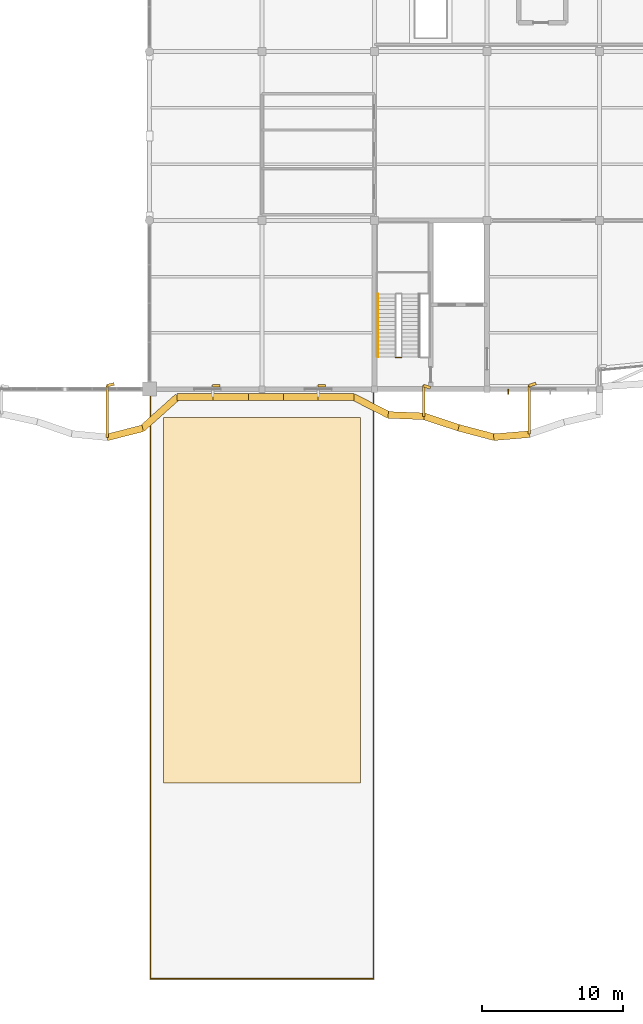
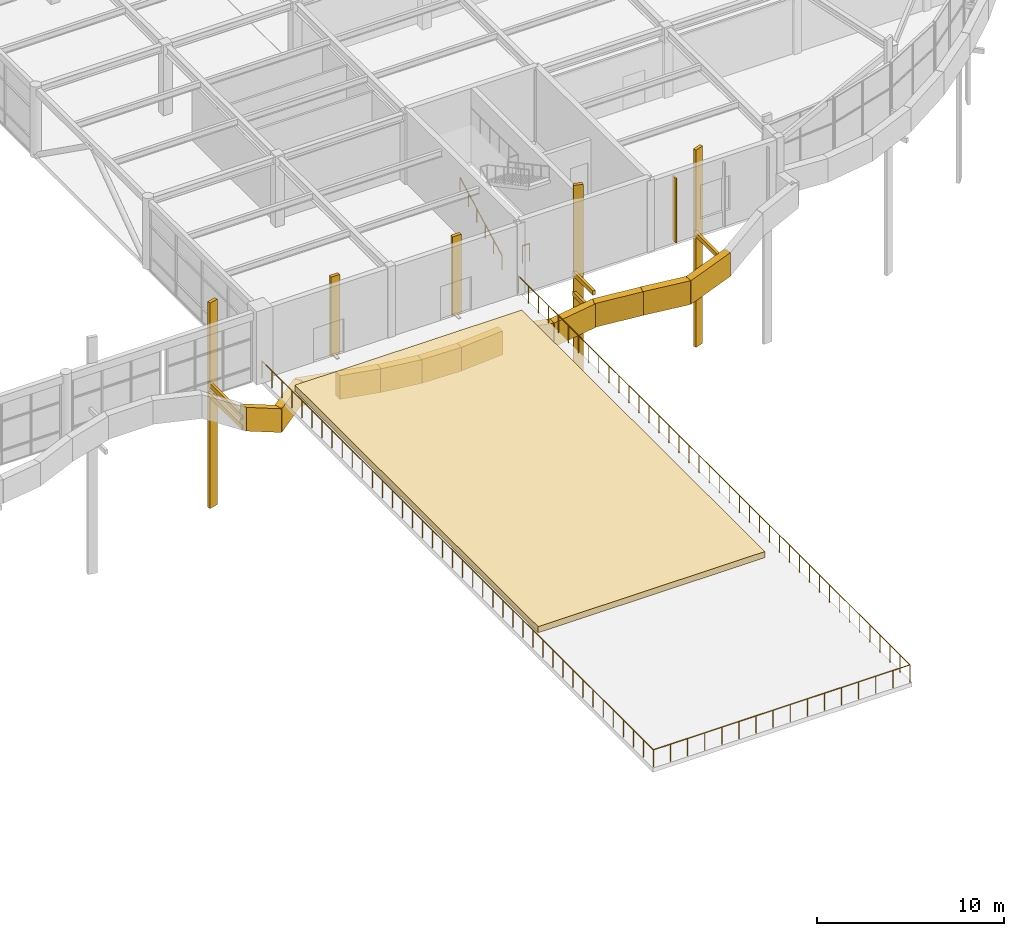
# One storey, part 56 of 63: 23 coverings, 3 railings, 1 shading device.
"""IFC4 building model written with IfcOpenShell, lengths in metres."""

from ifc_helpers import new_model, si_unit, direction, frame, frame_2d, origin, origin_2d, place, context, subcontext, project, spatial, polyline, rectangle, circle, outline, extrude, material, layer, layer_set, type_object, element, save


model = new_model("IFC4")

# Units and contexts
model_context = context("Model", 3, precision=1e-05, world=origin(), true_north=direction((0.0, 1.0)))
body_context = subcontext(model_context, "Body", "Model", "MODEL_VIEW")
ifc_project = project(units=[si_unit("LENGTHUNIT", "METRE"), si_unit("AREAUNIT", "SQUARE_METRE"), si_unit("VOLUMEUNIT", "CUBIC_METRE"), si_unit("PLANEANGLEUNIT", "RADIAN"), si_unit("MASSUNIT", "GRAM", prefix="KILO")], contexts=[model_context])

# Site, building, storey
site_placement = place(None, origin())
site = spatial("IfcSite", under=ifc_project, at=site_placement, CompositionType="ELEMENT")
building_placement = place(site_placement, origin())
building = spatial("IfcBuilding", under=site, at=building_placement, Name="Keelwater Ferry Terminal", CompositionType="ELEMENT")
storey_placement = place(building_placement, frame((0.0, 0.0, 10.199951171875)))
storey = spatial("IfcBuildingStorey", under=building, at=storey_placement, Name="L02", CompositionType="ELEMENT", Elevation=10.199951171875)

# Railing
ifc_material_1 = material(Name="Marine stainless steel and laminated glass balustrade", Category="steel")
railing_type_1 = type_object("IfcRailingType", Name="BL-115 Waterfront Promenade Balustrade", PredefinedType="BALUSTRADE", material=ifc_material_1)
railing_1_placement = place(storey_placement, frame((132.080078125, 41.949951171875, 0.0)))
element("IfcRailing", 1, at=railing_1_placement, inside=storey, type_object=railing_type_1, Name="East Boarding Promenade Guard 3", PredefinedType="BALUSTRADE", context=body_context, shape_type="SweptSolid", body=[
    extrude(circle(Radius=0.02685546875, at=origin_2d()), frame((0.0, 0.0, 1.123046875), z_axis=(0.0, -1.0, 0.0), x_axis=(1.0, 0.0, 0.0)), (0.0, 0.0, 1.0), 41.869873046875),
    extrude(circle(Radius=0.02685546875, at=origin_2d()), frame((0.0, -41.869873046875, 1.123046875), z_axis=(1.0, 0.0, 0.0), x_axis=(0.0, 1.0, 0.0)), (0.0, 0.0, 1.0), 15.83984375),
    extrude(circle(Radius=0.02685546875, at=origin_2d()), frame((15.83984375, -41.869873046875, 1.123046875), z_axis=(0.0, 1.0, 0.0), x_axis=(-1.0, 0.0, 0.0)), (0.0, 0.0, 1.0), 41.869873046875),
    extrude(circle(Radius=0.02392578125, at=origin_2d()), origin(), (0.0, 0.0, 1.0), 1.095947265625),
    extrude(circle(Radius=0.02392578125, at=origin_2d()), frame((0.0, -1.073486328125, 0.0)), (0.0, 0.0, 1.0), 1.095947265625),
    extrude(circle(Radius=0.02392578125, at=origin_2d()), frame((0.0, -2.147216796875, 0.0)), (0.0, 0.0, 1.0), 1.095947265625),
    extrude(circle(Radius=0.02392578125, at=origin_2d()), frame((0.0, -3.220703125, 0.0)), (0.0, 0.0, 1.0), 1.095947265625),
    extrude(circle(Radius=0.02392578125, at=origin_2d()), frame((0.0, -4.29443359375, 0.0)), (0.0, 0.0, 1.0), 1.095947265625),
    extrude(circle(Radius=0.02392578125, at=origin_2d()), frame((0.0, -5.367919921875, 0.0)), (0.0, 0.0, 1.0), 1.095947265625),
    extrude(circle(Radius=0.02392578125, at=origin_2d()), frame((0.0, -6.44140625, 0.0)), (0.0, 0.0, 1.0), 1.095947265625),
    extrude(circle(Radius=0.02392578125, at=origin_2d()), frame((0.0, -7.51513671875, 0.0)), (0.0, 0.0, 1.0), 1.095947265625),
    extrude(circle(Radius=0.02392578125, at=origin_2d()), frame((0.0, -8.588623046875, 0.0)), (0.0, 0.0, 1.0), 1.095947265625),
    extrude(circle(Radius=0.02392578125, at=origin_2d()), frame((0.0, -9.662353515625, 0.0)), (0.0, 0.0, 1.0), 1.095947265625),
    extrude(circle(Radius=0.02392578125, at=origin_2d()), frame((0.0, -10.73583984375, 0.0)), (0.0, 0.0, 1.0), 1.095947265625),
    extrude(circle(Radius=0.02392578125, at=origin_2d()), frame((0.0, -11.8095703125, 0.0)), (0.0, 0.0, 1.0), 1.095947265625),
    extrude(circle(Radius=0.02392578125, at=origin_2d()), frame((0.0, -12.883056640625, 0.0)), (0.0, 0.0, 1.0), 1.095947265625),
    extrude(circle(Radius=0.02392578125, at=origin_2d()), frame((0.0, -13.95654296875, 0.0)), (0.0, 0.0, 1.0), 1.095947265625),
    extrude(circle(Radius=0.02392578125, at=origin_2d()), frame((0.0, -15.0302734375, 0.0)), (0.0, 0.0, 1.0), 1.095947265625),
    extrude(circle(Radius=0.02392578125, at=origin_2d()), frame((0.0, -16.103759765625, 0.0)), (0.0, 0.0, 1.0), 1.095947265625),
    extrude(circle(Radius=0.02392578125, at=origin_2d()), frame((0.0, -17.177490234375, 0.0)), (0.0, 0.0, 1.0), 1.095947265625),
    extrude(circle(Radius=0.02392578125, at=origin_2d()), frame((0.0, -18.2509765625, 0.0)), (0.0, 0.0, 1.0), 1.095947265625),
    extrude(circle(Radius=0.02392578125, at=origin_2d()), frame((0.0, -19.324462890625, 0.0)), (0.0, 0.0, 1.0), 1.095947265625),
    extrude(circle(Radius=0.02392578125, at=origin_2d()), frame((0.0, -20.398193359375, 0.0)), (0.0, 0.0, 1.0), 1.095947265625),
    extrude(circle(Radius=0.02392578125, at=origin_2d()), frame((0.0, -21.4716796875, 0.0)), (0.0, 0.0, 1.0), 1.095947265625),
    extrude(circle(Radius=0.02392578125, at=origin_2d()), frame((0.0, -22.54541015625, 0.0)), (0.0, 0.0, 1.0), 1.095947265625),
    extrude(circle(Radius=0.02392578125, at=origin_2d()), frame((0.0, -23.618896484375, 0.0)), (0.0, 0.0, 1.0), 1.095947265625),
    extrude(circle(Radius=0.02392578125, at=origin_2d()), frame((0.0, -24.6923828125, 0.0)), (0.0, 0.0, 1.0), 1.095947265625),
    extrude(circle(Radius=0.02392578125, at=origin_2d()), frame((0.0, -25.76611328125, 0.0)), (0.0, 0.0, 1.0), 1.095947265625),
    extrude(circle(Radius=0.02392578125, at=origin_2d()), frame((0.0, -26.839599609375, 0.0)), (0.0, 0.0, 1.0), 1.095947265625),
    extrude(circle(Radius=0.02392578125, at=origin_2d()), frame((0.0, -27.913330078125, 0.0)), (0.0, 0.0, 1.0), 1.095947265625),
    extrude(circle(Radius=0.02392578125, at=origin_2d()), frame((0.0, -28.98681640625, 0.0)), (0.0, 0.0, 1.0), 1.095947265625),
    extrude(circle(Radius=0.02392578125, at=origin_2d()), frame((0.0, -30.060302734375, 0.0)), (0.0, 0.0, 1.0), 1.095947265625),
    extrude(circle(Radius=0.02392578125, at=origin_2d()), frame((0.0, -31.134033203125, 0.0)), (0.0, 0.0, 1.0), 1.095947265625),
    extrude(circle(Radius=0.02392578125, at=origin_2d()), frame((0.0, -32.20751953125, 0.0)), (0.0, 0.0, 1.0), 1.095947265625),
    extrude(circle(Radius=0.02392578125, at=origin_2d()), frame((0.0, -33.28125, 0.0)), (0.0, 0.0, 1.0), 1.095947265625),
    extrude(circle(Radius=0.02392578125, at=origin_2d()), frame((0.0, -34.354736328125, 0.0)), (0.0, 0.0, 1.0), 1.095947265625),
    extrude(circle(Radius=0.02392578125, at=origin_2d()), frame((0.0, -35.428466796875, 0.0)), (0.0, 0.0, 1.0), 1.095947265625),
    extrude(circle(Radius=0.02392578125, at=origin_2d()), frame((0.0, -36.501953125, 0.0)), (0.0, 0.0, 1.0), 1.095947265625),
    extrude(circle(Radius=0.02392578125, at=origin_2d()), frame((0.0, -37.575439453125, 0.0)), (0.0, 0.0, 1.0), 1.095947265625),
    extrude(circle(Radius=0.02392578125, at=origin_2d()), frame((0.0, -38.649169921875, 0.0)), (0.0, 0.0, 1.0), 1.095947265625),
    extrude(circle(Radius=0.02392578125, at=origin_2d()), frame((0.0, -39.72265625, 0.0)), (0.0, 0.0, 1.0), 1.095947265625),
    extrude(circle(Radius=0.02392578125, at=origin_2d()), frame((0.0, -40.79638671875, 0.0)), (0.0, 0.0, 1.0), 1.095947265625),
    extrude(circle(Radius=0.02392578125, at=origin_2d()), frame((0.0, -41.869873046875, 0.0)), (0.0, 0.0, 1.0), 1.095947265625),
    extrude(circle(Radius=0.02392578125, at=origin_2d()), frame((1.055908203125, -41.869873046875, 0.0)), (0.0, 0.0, 1.0), 1.095947265625),
    extrude(circle(Radius=0.02392578125, at=origin_2d()), frame((2.112060546875, -41.869873046875, 0.0)), (0.0, 0.0, 1.0), 1.095947265625),
    extrude(circle(Radius=0.02392578125, at=origin_2d()), frame((3.16796875, -41.869873046875, 0.0)), (0.0, 0.0, 1.0), 1.095947265625),
    extrude(circle(Radius=0.02392578125, at=origin_2d()), frame((4.223876953125, -41.869873046875, 0.0)), (0.0, 0.0, 1.0), 1.095947265625),
    extrude(circle(Radius=0.02392578125, at=origin_2d()), frame((5.280029296875, -41.869873046875, 0.0)), (0.0, 0.0, 1.0), 1.095947265625),
    extrude(circle(Radius=0.02392578125, at=origin_2d()), frame((6.3359375, -41.869873046875, 0.0)), (0.0, 0.0, 1.0), 1.095947265625),
    extrude(circle(Radius=0.02392578125, at=origin_2d()), frame((7.391845703125, -41.869873046875, 0.0)), (0.0, 0.0, 1.0), 1.095947265625),
    extrude(circle(Radius=0.02392578125, at=origin_2d()), frame((8.447998046875, -41.869873046875, 0.0)), (0.0, 0.0, 1.0), 1.095947265625),
    extrude(circle(Radius=0.02392578125, at=origin_2d()), frame((9.50390625, -41.869873046875, 0.0)), (0.0, 0.0, 1.0), 1.095947265625),
    extrude(circle(Radius=0.02392578125, at=origin_2d()), frame((10.559814453125, -41.869873046875, 0.0)), (0.0, 0.0, 1.0), 1.095947265625),
    extrude(circle(Radius=0.02392578125, at=origin_2d()), frame((11.615966796875, -41.869873046875, 0.0)), (0.0, 0.0, 1.0), 1.095947265625),
    extrude(circle(Radius=0.02392578125, at=origin_2d()), frame((12.671875, -41.869873046875, 0.0)), (0.0, 0.0, 1.0), 1.095947265625),
    extrude(circle(Radius=0.02392578125, at=origin_2d()), frame((13.727783203125, -41.869873046875, 0.0)), (0.0, 0.0, 1.0), 1.095947265625),
    extrude(circle(Radius=0.02392578125, at=origin_2d()), frame((14.783935546875, -41.869873046875, 0.0)), (0.0, 0.0, 1.0), 1.095947265625),
    extrude(circle(Radius=0.02392578125, at=origin_2d()), frame((15.83984375, -41.869873046875, 0.0)), (0.0, 0.0, 1.0), 1.095947265625),
    extrude(circle(Radius=0.02392578125, at=origin_2d()), frame((15.83984375, -40.79638671875, 0.0)), (0.0, 0.0, 1.0), 1.095947265625),
    extrude(circle(Radius=0.02392578125, at=origin_2d()), frame((15.83984375, -39.72265625, 0.0)), (0.0, 0.0, 1.0), 1.095947265625),
    extrude(circle(Radius=0.02392578125, at=origin_2d()), frame((15.83984375, -38.649169921875, 0.0)), (0.0, 0.0, 1.0), 1.095947265625),
    extrude(circle(Radius=0.02392578125, at=origin_2d()), frame((15.83984375, -37.575439453125, 0.0)), (0.0, 0.0, 1.0), 1.095947265625),
    extrude(circle(Radius=0.02392578125, at=origin_2d()), frame((15.83984375, -36.501953125, 0.0)), (0.0, 0.0, 1.0), 1.095947265625),
    extrude(circle(Radius=0.02392578125, at=origin_2d()), frame((15.83984375, -35.428466796875, 0.0)), (0.0, 0.0, 1.0), 1.095947265625),
    extrude(circle(Radius=0.02392578125, at=origin_2d()), frame((15.83984375, -34.354736328125, 0.0)), (0.0, 0.0, 1.0), 1.095947265625),
    extrude(circle(Radius=0.02392578125, at=origin_2d()), frame((15.83984375, -33.28125, 0.0)), (0.0, 0.0, 1.0), 1.095947265625),
    extrude(circle(Radius=0.02392578125, at=origin_2d()), frame((15.83984375, -32.20751953125, 0.0)), (0.0, 0.0, 1.0), 1.095947265625),
    extrude(circle(Radius=0.02392578125, at=origin_2d()), frame((15.83984375, -31.134033203125, 0.0)), (0.0, 0.0, 1.0), 1.095947265625),
    extrude(circle(Radius=0.02392578125, at=origin_2d()), frame((15.83984375, -30.060302734375, 0.0)), (0.0, 0.0, 1.0), 1.095947265625),
    extrude(circle(Radius=0.02392578125, at=origin_2d()), frame((15.83984375, -28.98681640625, 0.0)), (0.0, 0.0, 1.0), 1.095947265625),
    extrude(circle(Radius=0.02392578125, at=origin_2d()), frame((15.83984375, -27.913330078125, 0.0)), (0.0, 0.0, 1.0), 1.095947265625),
    extrude(circle(Radius=0.02392578125, at=origin_2d()), frame((15.83984375, -26.839599609375, 0.0)), (0.0, 0.0, 1.0), 1.095947265625),
    extrude(circle(Radius=0.02392578125, at=origin_2d()), frame((15.83984375, -25.76611328125, 0.0)), (0.0, 0.0, 1.0), 1.095947265625),
    extrude(circle(Radius=0.02392578125, at=origin_2d()), frame((15.83984375, -24.6923828125, 0.0)), (0.0, 0.0, 1.0), 1.095947265625),
    extrude(circle(Radius=0.02392578125, at=origin_2d()), frame((15.83984375, -23.618896484375, 0.0)), (0.0, 0.0, 1.0), 1.095947265625),
    extrude(circle(Radius=0.02392578125, at=origin_2d()), frame((15.83984375, -22.54541015625, 0.0)), (0.0, 0.0, 1.0), 1.095947265625),
    extrude(circle(Radius=0.02392578125, at=origin_2d()), frame((15.83984375, -21.4716796875, 0.0)), (0.0, 0.0, 1.0), 1.095947265625),
    extrude(circle(Radius=0.02392578125, at=origin_2d()), frame((15.83984375, -20.398193359375, 0.0)), (0.0, 0.0, 1.0), 1.095947265625),
    extrude(circle(Radius=0.02392578125, at=origin_2d()), frame((15.83984375, -19.324462890625, 0.0)), (0.0, 0.0, 1.0), 1.095947265625),
    extrude(circle(Radius=0.02392578125, at=origin_2d()), frame((15.83984375, -18.2509765625, 0.0)), (0.0, 0.0, 1.0), 1.095947265625),
    extrude(circle(Radius=0.02392578125, at=origin_2d()), frame((15.83984375, -17.177490234375, 0.0)), (0.0, 0.0, 1.0), 1.095947265625),
    extrude(circle(Radius=0.02392578125, at=origin_2d()), frame((15.83984375, -16.103759765625, 0.0)), (0.0, 0.0, 1.0), 1.095947265625),
    extrude(circle(Radius=0.02392578125, at=origin_2d()), frame((15.83984375, -15.0302734375, 0.0)), (0.0, 0.0, 1.0), 1.095947265625),
    extrude(circle(Radius=0.02392578125, at=origin_2d()), frame((15.83984375, -13.95654296875, 0.0)), (0.0, 0.0, 1.0), 1.095947265625),
    extrude(circle(Radius=0.02392578125, at=origin_2d()), frame((15.83984375, -12.883056640625, 0.0)), (0.0, 0.0, 1.0), 1.095947265625),
    extrude(circle(Radius=0.02392578125, at=origin_2d()), frame((15.83984375, -11.8095703125, 0.0)), (0.0, 0.0, 1.0), 1.095947265625),
    extrude(circle(Radius=0.02392578125, at=origin_2d()), frame((15.83984375, -10.73583984375, 0.0)), (0.0, 0.0, 1.0), 1.095947265625),
    extrude(circle(Radius=0.02392578125, at=origin_2d()), frame((15.83984375, -9.662353515625, 0.0)), (0.0, 0.0, 1.0), 1.095947265625),
    extrude(circle(Radius=0.02392578125, at=origin_2d()), frame((15.83984375, -8.588623046875, 0.0)), (0.0, 0.0, 1.0), 1.095947265625),
    extrude(circle(Radius=0.02392578125, at=origin_2d()), frame((15.83984375, -7.51513671875, 0.0)), (0.0, 0.0, 1.0), 1.095947265625),
    extrude(circle(Radius=0.02392578125, at=origin_2d()), frame((15.83984375, -6.44140625, 0.0)), (0.0, 0.0, 1.0), 1.095947265625),
    extrude(circle(Radius=0.02392578125, at=origin_2d()), frame((15.83984375, -5.367919921875, 0.0)), (0.0, 0.0, 1.0), 1.095947265625),
    extrude(circle(Radius=0.02392578125, at=origin_2d()), frame((15.83984375, -4.29443359375, 0.0)), (0.0, 0.0, 1.0), 1.095947265625),
    extrude(circle(Radius=0.02392578125, at=origin_2d()), frame((15.83984375, -3.220703125, 0.0)), (0.0, 0.0, 1.0), 1.095947265625),
    extrude(circle(Radius=0.02392578125, at=origin_2d()), frame((15.83984375, -2.147216796875, 0.0)), (0.0, 0.0, 1.0), 1.095947265625),
    extrude(circle(Radius=0.02392578125, at=origin_2d()), frame((15.83984375, -1.073486328125, 0.0)), (0.0, 0.0, 1.0), 1.095947265625),
    extrude(circle(Radius=0.02392578125, at=origin_2d()), frame((15.83984375, 0.0, 0.0)), (0.0, 0.0, 1.0), 1.095947265625),
])

# Shading device
ifc_material_2 = material(Name="Anodised aluminium solar fin", Category="aluminium")
ifc_layer_1 = layer(ifc_material_2, 0.074951171875)
ifc_layer_set_1 = layer_set([ifc_layer_1], Name="Anodised aluminium solar fin")
shading_device_type = type_object("IfcShadingDeviceType", Name="FN-SOL Vertical Solar Shading Fin", PredefinedType="USERDEFINED", material=ifc_layer_set_1)
shading_device_placement = place(storey_placement, frame((157.5, 41.830078125, 0.10009765625), z_axis=(0.0, 0.0, 1.0), x_axis=(1.0, 0.0, 0.0)))
element("IfcShadingDevice", 2, at=shading_device_placement, inside=storey, type_object=shading_device_type, Name="Anodised Solar Shading Fin 22", ObjectType="FIN", PredefinedType="USERDEFINED", context=body_context, shape_type="SweptSolid", body=[
    extrude(rectangle(XDim=0.074951171875, YDim=0.360107421875, at=origin_2d()), origin(), (0.0, 0.0, 1.0), 4.199951171875),
])

# Railing
ifc_material_3 = material(Name="Painted Steel S355", Category="steel")
railing_type_2 = type_object("IfcRailingType", Name="GR-115 Stair Well Guardrail", PredefinedType="GUARDRAIL", material=ifc_material_3)
railing_2_placement = place(storey_placement, frame((149.510009765625, 44.260009765625, 0.0)))
element("IfcRailing", 3, at=railing_2_placement, inside=storey, type_object=railing_type_2, Name="Stair ST-C4-L01 Slot Threshold Guard 80", PredefinedType="GUARDRAIL", context=body_context, shape_type="SweptSolid", body=[
    extrude(circle(Radius=0.02392578125, at=origin_2d()), frame((0.0, 0.0, 1.1259765625), z_axis=(1.0, 0.0, 0.0), x_axis=(0.0, 1.0, 0.0)), (0.0, 0.0, 1.0), 0.419921875),
    extrude(circle(Radius=0.02099609375, at=origin_2d()), origin(), (0.0, 0.0, 1.0), 1.101806640625),
    extrude(circle(Radius=0.02099609375, at=origin_2d()), frame((0.419921875, 0.0, 0.0)), (0.0, 0.0, 1.0), 1.101806640625),
])

# Covering
ifc_material_4 = material(Name="Planted sedum green roof substrate", Category="earth")
ifc_layer_2 = layer(ifc_material_4, 0.39990234375)
ifc_layer_set_2 = layer_set([ifc_layer_2], Name="Planted sedum green roof substrate")
covering_type_1 = type_object("IfcCoveringType", Name="GR-BED Planted Green Roof Bed", PredefinedType="ROOFING", material=ifc_layer_set_2)
covering_1_placement = place(storey_placement, origin())
element("IfcCovering", 4, at=covering_1_placement, inside=storey, type_object=covering_type_1, Name="Planted Green Roof Bed 5", PredefinedType="ROOFING", context=body_context, shape_type="SweptSolid", body=[
    extrude(outline(polyline([(133.0, 14.0), (147.0, 14.0), (147.0, 40.0), (133.0, 40.0), (133.0, 14.0)])), origin(), (0.0, 0.0, 1.0), 0.400146484375),
])

# Railing
ifc_material_5 = material(Name="Brushed stainless steel handrail", Category="steel")
railing_type_3 = type_object("IfcRailingType", Name="HR-920 Stair Pitch Handrail", PredefinedType="HANDRAIL", material=ifc_material_5)
railing_3_placement = place(storey_placement, frame((148.260009765625, 44.300048828125, 0.0)))
element("IfcRailing", 5, at=railing_3_placement, inside=storey, type_object=railing_type_3, Name="Stair ST-C4-L02 Flight 1 Handrail 84", PredefinedType="HANDRAIL", context=body_context, shape_type="SweptSolid", body=[
    extrude(circle(Radius=0.02392578125, at=origin_2d()), frame((0.0, 0.0, 0.89599609375), z_axis=(0.0, 0.881467115574, 0.472245406714), x_axis=(-1.0, 0.0, 0.0)), (0.0, 0.0, 1.0), 5.08251953125),
    extrude(circle(Radius=0.02099609375, at=origin_2d()), origin(), (0.0, 0.0, 1.0), 0.871826171875),
    extrude(circle(Radius=0.02099609375, at=origin_2d()), frame((0.0, 0.89599609375, 0.47998046875)), (0.0, 0.0, 1.0), 0.871826171875),
    extrude(circle(Radius=0.02099609375, at=origin_2d()), frame((0.0, 1.7919921875, 0.9599609375)), (0.0, 0.0, 1.0), 0.871826171875),
    extrude(circle(Radius=0.02099609375, at=origin_2d()), frame((0.0, 2.68798828125, 1.440185546875)), (0.0, 0.0, 1.0), 0.871826171875),
    extrude(circle(Radius=0.02099609375, at=origin_2d()), frame((0.0, 3.583984375, 1.920166015625)), (0.0, 0.0, 1.0), 0.871826171875),
    extrude(circle(Radius=0.02099609375, at=origin_2d()), frame((0.0, 4.47998046875, 2.400146484375)), (0.0, 0.0, 1.0), 0.871826171875),
])

# Coverings
ifc_material_6 = material(Name="Matte white architectural aluminium fascia ribbon", Category="aluminium")
ifc_layer_3 = layer(ifc_material_6, 0.1201171875)
ifc_layer_set_3 = layer_set([ifc_layer_3], Name="Matte white architectural aluminium fascia ribbon")
covering_type_2 = type_object("IfcCoveringType", Name="RB-WHT Matte White Fascia Ribbon", PredefinedType="CLADDING", material=ifc_layer_set_3)
covering_2_placement = place(storey_placement, frame((128.97607421875, 38.572998046875, -1.5888671875), z_axis=(0.0, 0.0, 1.0), x_axis=(0.969062454422, 0.246815638545, 0.0)))
element("IfcCovering", 6, at=covering_2_placement, inside=storey, type_object=covering_type_2, Name="Concourse Upper Wave Fascia Ribbon 544", PredefinedType="CLADDING", context=body_context, shape_type="SweptSolid", body=[
    extrude(outline(polyline([(0.0, 1.37890625), (2.629150390625, 0.0), (2.629150390625, 1.5498046875), (0.0, 2.928955078125), (0.0, 1.37890625)])), frame((0.0, 0.239990234375, 0.0), z_axis=(0.0, -1.0, 0.0), x_axis=(1.0, 0.0, 0.0)), (0.0, 0.0, 1.0), 0.47998046875),
])
covering_3_placement = place(storey_placement, frame((129.0, 38.5791015625, 0.425048828125), z_axis=(0.0, 0.0, 1.0), x_axis=(0.0, 1.0, 0.0)))
element("IfcCovering", 7, at=covering_3_placement, inside=storey, type_object=covering_type_2, Name="Ribbon Horizontal Tie Bracket 548", PredefinedType="CLADDING", context=body_context, shape_type="SweptSolid", body=[
    extrude(rectangle(XDim=3.6708984375, YDim=0.159912109375, at=frame_2d((1.83544921875, 0.0))), origin(), (0.0, 0.0, 1.0), 0.280029296875),
])
covering_4_placement = place(storey_placement, frame((129.0, 38.5791015625, -0.25), z_axis=(0.0, 0.0, 1.0), x_axis=(0.0, 1.0, 0.0)))
element("IfcCovering", 8, at=covering_4_placement, inside=storey, type_object=covering_type_2, Name="Ribbon Slab Tie Bracket 551", PredefinedType="CLADDING", context=body_context, shape_type="SweptSolid", body=[
    extrude(rectangle(XDim=3.6708984375, YDim=0.159912109375, at=frame_2d((1.83544921875, 0.0))), origin(), (0.0, 0.0, 1.0), 0.300048828125),
])
covering_5_placement = place(storey_placement, frame((128.97607421875, 42.243896484375, -7.56396484375), z_axis=(0.0, 0.0, 1.0), x_axis=(0.968854181379, 0.247631934984, 0.0)))
element("IfcCovering", 9, at=covering_5_placement, inside=storey, type_object=covering_type_2, Name="Ribbon Recessed Support Mullion 553", PredefinedType="CLADDING", context=body_context, shape_type="SweptSolid", body=[
    extrude(outline(polyline([(0.0, 0.0), (0.529541015625, 0.0), (0.529541015625, 13.4150390625), (0.0, 13.4150390625), (0.0, 0.0)])), frame((0.0, 0.10009765625, 0.0), z_axis=(0.0, -1.0, 0.0), x_axis=(1.0, 0.0, 0.0)), (0.0, 0.0, 1.0), 0.199951171875),
])
covering_6_placement = place(storey_placement, frame((131.48095703125, 39.198974609375, -2.0419921875), z_axis=(0.0, 0.0, 1.0), x_axis=(0.745657617086, 0.666329286526, 0.0)))
element("IfcCovering", 10, at=covering_6_placement, inside=storey, type_object=covering_type_2, Name="Concourse Upper Wave Fascia Ribbon 554", PredefinedType="CLADDING", context=body_context, shape_type="SweptSolid", body=[
    extrude(outline(polyline([(0.0, 0.453125), (3.40380859375, 0.0), (3.40380859375, 1.550048828125), (0.0, 2.0029296875), (0.0, 0.453125)])), frame((0.0, 0.239990234375, 0.0), z_axis=(0.0, -1.0, 0.0), x_axis=(1.0, 0.0, 0.0)), (0.0, 0.0, 1.0), 0.47998046875),
])
covering_7_placement = place(storey_placement, frame((133.97509765625, 41.449951171875, -2.490966796875), z_axis=(0.0, 0.0, 1.0), x_axis=(1.0, 0.0, 0.0)))
element("IfcCovering", 11, at=covering_7_placement, inside=storey, type_object=covering_type_2, Name="Concourse Upper Wave Fascia Ribbon 556", PredefinedType="CLADDING", context=body_context, shape_type="SweptSolid", body=[
    extrude(outline(polyline([(0.0, 0.448974609375), (2.5498046875, 0.0), (2.5498046875, 1.550048828125), (0.0, 1.9990234375), (0.0, 0.448974609375)])), frame((0.0, 0.239990234375, 0.0), z_axis=(0.0, -1.0, 0.0), x_axis=(1.0, 0.0, 0.0)), (0.0, 0.0, 1.0), 0.47998046875),
])
covering_8_placement = place(storey_placement, frame((136.47509765625, 41.449951171875, -2.9208984375), z_axis=(0.0, 0.0, 1.0), x_axis=(1.0, 0.0, 0.0)))
element("IfcCovering", 12, at=covering_8_placement, inside=storey, type_object=covering_type_2, Name="Concourse Upper Wave Fascia Ribbon 558", PredefinedType="CLADDING", context=body_context, shape_type="SweptSolid", body=[
    extrude(outline(polyline([(0.0, 0.429931640625), (2.5498046875, 0.0), (2.5498046875, 1.550048828125), (0.0, 1.97998046875), (0.0, 0.429931640625)])), frame((0.0, 0.239990234375, 0.0), z_axis=(0.0, -1.0, 0.0), x_axis=(1.0, 0.0, 0.0)), (0.0, 0.0, 1.0), 0.47998046875),
])
covering_9_placement = place(storey_placement, frame((136.47509765625, 42.25, -0.25), z_axis=(0.0, 0.0, 1.0), x_axis=(1.0, 0.0, 0.0)))
element("IfcCovering", 13, at=covering_9_placement, inside=storey, type_object=covering_type_2, Name="Ribbon Recessed Support Mullion 564", PredefinedType="CLADDING", context=body_context, shape_type="SweptSolid", body=[
    extrude(outline(polyline([(0.0, 0.0), (0.52978515625, 0.0), (0.52978515625, 5.170166015625), (0.0, 5.170166015625), (0.0, 0.0)])), frame((0.0, 0.10009765625, 0.0), z_axis=(0.0, -1.0, 0.0), x_axis=(1.0, 0.0, 0.0)), (0.0, 0.0, 1.0), 0.199951171875),
])
covering_10_placement = place(storey_placement, frame((138.97509765625, 41.449951171875, -3.20703125), z_axis=(0.0, 0.0, 1.0), x_axis=(1.0, 0.0, 0.0)))
element("IfcCovering", 14, at=covering_10_placement, inside=storey, type_object=covering_type_2, Name="Concourse Upper Wave Fascia Ribbon 565", PredefinedType="CLADDING", context=body_context, shape_type="SweptSolid", body=[
    extrude(outline(polyline([(0.0, 0.2861328125), (2.5498046875, 0.0), (2.5498046875, 1.550048828125), (0.0, 1.836181640625), (0.0, 0.2861328125)])), frame((0.0, 0.239990234375, 0.0), z_axis=(0.0, -1.0, 0.0), x_axis=(1.0, 0.0, 0.0)), (0.0, 0.0, 1.0), 0.47998046875),
])
covering_11_placement = place(storey_placement, frame((141.47509765625, 41.449951171875, -3.265869140625), z_axis=(0.0, 0.0, 1.0), x_axis=(1.0, 0.0, 0.0)))
element("IfcCovering", 15, at=covering_11_placement, inside=storey, type_object=covering_type_2, Name="Concourse Upper Wave Fascia Ribbon 567", PredefinedType="CLADDING", context=body_context, shape_type="SweptSolid", body=[
    extrude(outline(polyline([(0.0, 0.058837890625), (2.5498046875, 0.0), (2.5498046875, 1.5498046875), (0.0, 1.60888671875), (0.0, 0.058837890625)])), frame((0.0, 0.239990234375, 0.0), z_axis=(0.0, -1.0, 0.0), x_axis=(1.0, 0.0, 0.0)), (0.0, 0.0, 1.0), 0.47998046875),
])
covering_12_placement = place(storey_placement, frame((143.97509765625, 41.449951171875, -3.265869140625), z_axis=(0.0, 0.0, 1.0), x_axis=(1.0, 0.0, 0.0)))
element("IfcCovering", 16, at=covering_12_placement, inside=storey, type_object=covering_type_2, Name="Concourse Upper Wave Fascia Ribbon 569", PredefinedType="CLADDING", context=body_context, shape_type="SweptSolid", body=[
    extrude(outline(polyline([(0.0, 0.0), (2.5498046875, 0.184814453125), (2.5498046875, 1.73486328125), (0.0, 1.5498046875), (0.0, 0.0)])), frame((0.0, 0.239990234375, 0.0), z_axis=(0.0, -1.0, 0.0), x_axis=(1.0, 0.0, 0.0)), (0.0, 0.0, 1.0), 0.47998046875),
])
covering_13_placement = place(storey_placement, frame((143.97509765625, 42.25, -0.25), z_axis=(0.0, 0.0, 1.0), x_axis=(1.0, 0.0, 0.0)))
element("IfcCovering", 17, at=covering_13_placement, inside=storey, type_object=covering_type_2, Name="Ribbon Recessed Support Mullion 575", PredefinedType="CLADDING", context=body_context, shape_type="SweptSolid", body=[
    extrude(outline(polyline([(0.0, 0.0), (0.52978515625, 0.0), (0.52978515625, 5.170166015625), (0.0, 5.170166015625), (0.0, 0.0)])), frame((0.0, 0.10009765625, 0.0), z_axis=(0.0, -1.0, 0.0), x_axis=(1.0, 0.0, 0.0)), (0.0, 0.0, 1.0), 0.199951171875),
])
covering_14_placement = place(storey_placement, frame((146.47802734375, 41.4609375, -3.0810546875), z_axis=(0.0, 0.0, 1.0), x_axis=(0.89018451177, -0.45560019206, 0.0)))
element("IfcCovering", 18, at=covering_14_placement, inside=storey, type_object=covering_type_2, Name="Concourse Upper Wave Fascia Ribbon 576", PredefinedType="CLADDING", context=body_context, shape_type="SweptSolid", body=[
    extrude(outline(polyline([(0.0, 0.0), (2.857666015625, 0.43017578125), (2.857666015625, 1.980224609375), (0.0, 1.550048828125), (0.0, 0.0)])), frame((0.0, 0.239990234375, 0.0), z_axis=(0.0, -1.0, 0.0), x_axis=(1.0, 0.0, 0.0)), (0.0, 0.0, 1.0), 0.47998046875),
])
covering_15_placement = place(storey_placement, frame((148.97509765625, 40.1708984375, -2.65087890625), z_axis=(0.0, 0.0, 1.0), x_axis=(0.999263716325, -0.038366981065, 0.0)))
element("IfcCovering", 19, at=covering_15_placement, inside=storey, type_object=covering_type_2, Name="Concourse Upper Wave Fascia Ribbon 580", PredefinedType="CLADDING", context=body_context, shape_type="SweptSolid", body=[
    extrude(outline(polyline([(0.0, 0.0), (2.5517578125, 0.4580078125), (2.5517578125, 2.0078125), (0.0, 1.550048828125), (0.0, 0.0)])), frame((0.0, 0.239990234375, 0.0), z_axis=(0.0, -1.0, 0.0), x_axis=(1.0, 0.0, 0.0)), (0.0, 0.0, 1.0), 0.47998046875),
])
covering_16_placement = place(storey_placement, frame((151.47607421875, 40.08203125, -2.19287109375), z_axis=(0.0, 0.0, 1.0), x_axis=(0.949922945862, -0.312484234682, 0.0)))
element("IfcCovering", 20, at=covering_16_placement, inside=storey, type_object=covering_type_2, Name="Concourse Upper Wave Fascia Ribbon 584", PredefinedType="CLADDING", context=body_context, shape_type="SweptSolid", body=[
    extrude(outline(polyline([(0.0, 0.0), (2.68212890625, 0.406982421875), (2.68212890625, 1.95703125), (0.0, 1.5498046875), (0.0, 0.0)])), frame((0.0, 0.239990234375, 0.0), z_axis=(0.0, -1.0, 0.0), x_axis=(1.0, 0.0, 0.0)), (0.0, 0.0, 1.0), 0.47998046875),
])
covering_17_placement = place(storey_placement, frame((151.5, 40.073974609375, -1.557861328125), z_axis=(0.0, 0.0, 1.0), x_axis=(0.0, 1.0, 0.0)))
element("IfcCovering", 21, at=covering_17_placement, inside=storey, type_object=covering_type_2, Name="Ribbon Horizontal Tie Bracket 588", PredefinedType="CLADDING", context=body_context, shape_type="SweptSolid", body=[
    extrude(rectangle(XDim=2.176025390625, YDim=0.159912109375, at=frame_2d((1.087890625, 0.0))), origin(), (0.0, 0.0, 1.0), 0.280029296875),
])
covering_18_placement = place(storey_placement, frame((151.5, 40.073974609375, -0.25), z_axis=(0.0, 0.0, 1.0), x_axis=(0.0, 1.0, 0.0)))
element("IfcCovering", 22, at=covering_18_placement, inside=storey, type_object=covering_type_2, Name="Ribbon Slab Tie Bracket 590", PredefinedType="CLADDING", context=body_context, shape_type="SweptSolid", body=[
    extrude(rectangle(XDim=2.176025390625, YDim=0.159912109375, at=frame_2d((1.087890625, 0.0))), origin(), (0.0, 0.0, 1.0), 0.300048828125),
])
covering_19_placement = place(storey_placement, frame((151.47607421875, 42.258056640625, -6.60888671875), z_axis=(0.0, 0.0, 1.0), x_axis=(0.949781910086, -0.312912644796, 0.0)))
element("IfcCovering", 23, at=covering_19_placement, inside=storey, type_object=covering_type_2, Name="Ribbon Recessed Support Mullion 592", PredefinedType="CLADDING", context=body_context, shape_type="SweptSolid", body=[
    extrude(outline(polyline([(0.0, 0.0), (0.530517578125, 0.0), (0.530517578125, 12.26904296875), (0.0, 12.26904296875), (0.0, 0.0)])), frame((0.0, 0.10009765625, 0.0), z_axis=(0.0, -1.0, 0.0), x_axis=(1.0, 0.0, 0.0)), (0.0, 0.0, 1.0), 0.199951171875),
])
covering_20_placement = place(storey_placement, frame((153.97607421875, 39.258056640625, -1.785888671875), z_axis=(0.0, 0.0, 1.0), x_axis=(0.966647246159, -0.256111502073, 0.0)))
element("IfcCovering", 24, at=covering_20_placement, inside=storey, type_object=covering_type_2, Name="Concourse Upper Wave Fascia Ribbon 595", PredefinedType="CLADDING", context=body_context, shape_type="SweptSolid", body=[
    extrude(outline(polyline([(0.0, 0.0), (2.6357421875, 0.22802734375), (2.6357421875, 1.77783203125), (0.0, 1.550048828125), (0.0, 0.0)])), frame((0.0, 0.239990234375, 0.0), z_axis=(0.0, -1.0, 0.0), x_axis=(1.0, 0.0, 0.0)), (0.0, 0.0, 1.0), 0.47998046875),
])
covering_21_placement = place(storey_placement, frame((156.47509765625, 38.5869140625, -1.557861328125), z_axis=(0.0, 0.0, 1.0), x_axis=(0.9964929164, 0.083677162743, 0.0)))
element("IfcCovering", 25, at=covering_21_placement, inside=storey, type_object=covering_type_2, Name="Concourse Upper Wave Fascia Ribbon 599", PredefinedType="CLADDING", context=body_context, shape_type="SweptSolid", body=[
    extrude(outline(polyline([(0.0, 0.0), (2.558837890625, 0.805908203125), (2.558837890625, 2.35595703125), (0.0, 1.5498046875), (0.0, 0.0)])), frame((0.0, 0.239990234375, 0.0), z_axis=(0.0, -1.0, 0.0), x_axis=(1.0, 0.0, 0.0)), (0.0, 0.0, 1.0), 0.47998046875),
])
covering_22_placement = place(storey_placement, frame((159.0, 38.799072265625, -0.25), z_axis=(0.0, 0.0, 1.0), x_axis=(0.0, 1.0, 0.0)))
element("IfcCovering", 26, at=covering_22_placement, inside=storey, type_object=covering_type_2, Name="Ribbon Slab Tie Bracket 606", PredefinedType="CLADDING", context=body_context, shape_type="SweptSolid", body=[
    extrude(rectangle(XDim=3.450927734375, YDim=0.159912109375, at=frame_2d((1.7255859375, 0.0))), origin(), (0.0, 0.0, 1.0), 0.300048828125),
])
covering_23_placement = place(storey_placement, frame((158.97607421875, 42.241943359375, -7.552978515625), z_axis=(0.0, 0.0, 1.0), x_axis=(0.945933846643, 0.324359611811, 0.0)))
element("IfcCovering", 27, at=covering_23_placement, inside=storey, type_object=covering_type_2, Name="Ribbon Recessed Support Mullion 608", PredefinedType="CLADDING", context=body_context, shape_type="SweptSolid", body=[
    extrude(outline(polyline([(0.0, 0.0), (0.53076171875, 0.0), (0.53076171875, 12.875), (0.0, 12.875), (0.0, 0.0)])), frame((0.0, 0.10009765625, 0.0), z_axis=(0.0, -1.0, 0.0), x_axis=(1.0, 0.0, 0.0)), (0.0, 0.0, 1.0), 0.199951171875),
])

save(model, "model.ifc")
